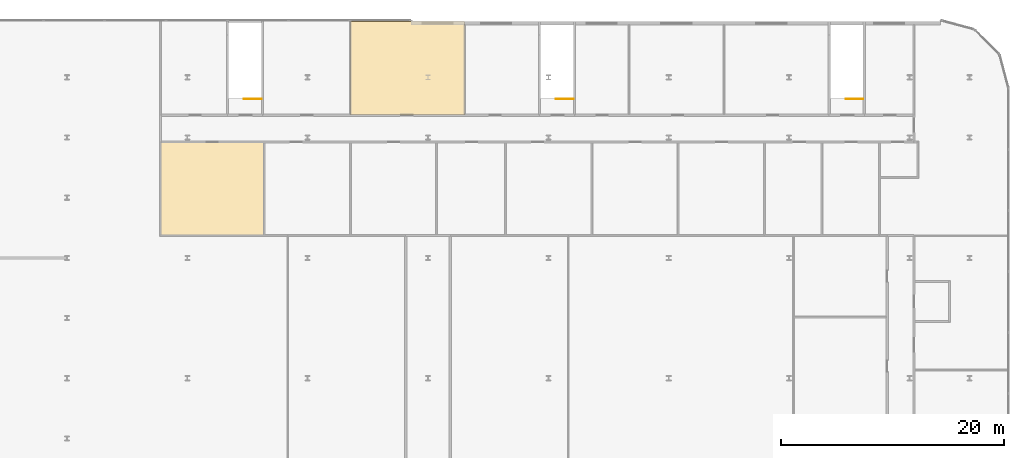
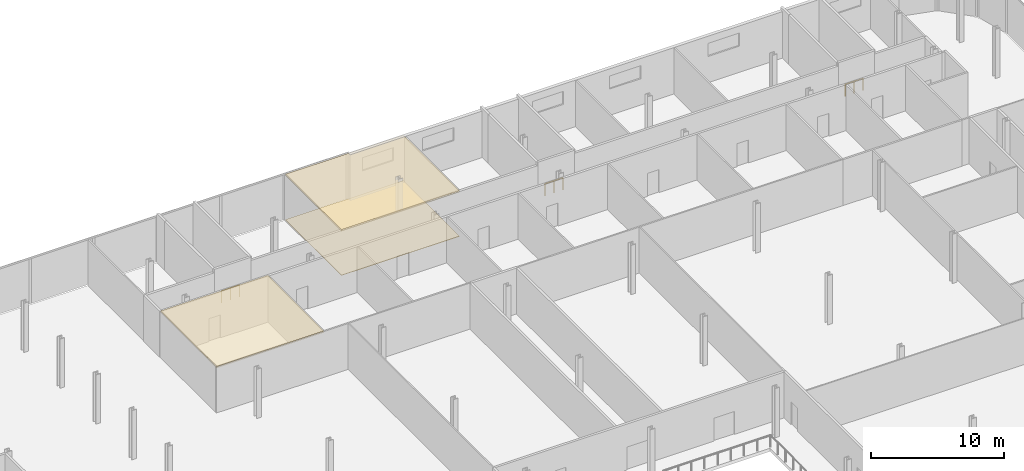
# One storey, part 43 of 43: 3 coverings, 3 railings.
"""IFC4 building model written with IfcOpenShell, lengths in metres."""

from ifc_helpers import new_model, si_unit, direction, frame, origin, origin_2d, place, context, subcontext, project, spatial, polyline, circle, outline, extrude, material, layer, layer_set, type_object, element, save


model = new_model("IFC4")

# Units and contexts
model_context = context("Model", 3, precision=1e-05, world=origin(), true_north=direction((0.0, 1.0)))
body_context = subcontext(model_context, "Body", "Model", "MODEL_VIEW")
ifc_project = project(units=[si_unit("LENGTHUNIT", "METRE"), si_unit("AREAUNIT", "SQUARE_METRE"), si_unit("VOLUMEUNIT", "CUBIC_METRE"), si_unit("PLANEANGLEUNIT", "RADIAN"), si_unit("MASSUNIT", "GRAM", prefix="KILO")], contexts=[model_context])

# Site, building, storey
site_placement = place(None, origin())
site = spatial("IfcSite", under=ifc_project, at=site_placement, CompositionType="ELEMENT")
building_placement = place(site_placement, origin())
building = spatial("IfcBuilding", under=site, at=building_placement, Name="Kheshtan School and Residences Tower", CompositionType="ELEMENT")
storey_placement = place(building_placement, frame((0.0, 0.0, 26.0)))
storey = spatial("IfcBuildingStorey", under=building, at=storey_placement, Name="L05", CompositionType="ELEMENT", Elevation=26.0)

# Coverings
ifc_material_1 = material(Name="Mineral fibre acoustic ceiling on metal grid")
ifc_layer_1 = layer(ifc_material_1, 0.14990234375)
ifc_layer_set_1 = layer_set([ifc_layer_1], Name="Acoustic ceiling 150 mineral fibre")
covering_type_1 = type_object("IfcCoveringType", Name="Acoustic ceiling 150 mineral fibre", PredefinedType="CEILING", material=ifc_layer_set_1)
covering_1_placement = place(storey_placement, frame((0.0, 0.0, 4.050048828125)))
element("IfcCovering", 1, at=covering_1_placement, inside=storey, type_object=covering_type_1, Name="Ceiling Assembly Hall L05", PredefinedType="CEILING", context=body_context, shape_type="SweptSolid", body=[
    extrude(outline(polyline([(65.2890625, 99.199951171875), (65.2890625, 90.800048828125), (56.0, 90.800048828125), (56.0, 99.199951171875), (65.2890625, 99.199951171875)])), origin(), (0.0, 0.0, 1.0), 0.14990234375),
])
covering_2_placement = place(storey_placement, frame((0.0, 0.0, 4.050048828125)))
element("IfcCovering", 2, at=covering_2_placement, inside=storey, type_object=covering_type_1, Name="Ceiling Gymnasium L05", PredefinedType="CEILING", context=body_context, shape_type="SweptSolid", body=[
    extrude(outline(polyline([(73.0419921875, 101.60009765625), (73.0419921875, 110.0), (83.26708984375, 110.0), (83.26708984375, 101.60009765625), (73.0419921875, 101.60009765625)])), origin(), (0.0, 0.0, 1.0), 0.14990234375),
])
ifc_material_2 = material(Name="Sprung timber sports floor", Category="wood")
ifc_layer_2 = layer(ifc_material_2, 0.0400390625)
ifc_layer_set_2 = layer_set([ifc_layer_2], Name="Sports floor 40")
covering_type_2 = type_object("IfcCoveringType", Name="Sports floor 40", PredefinedType="FLOORING", material=ifc_layer_set_2)
covering_3_placement = place(storey_placement, origin())
element("IfcCovering", 3, at=covering_3_placement, inside=storey, type_object=covering_type_2, Name="Floor finish Gymnasium L05", PredefinedType="FLOORING", context=body_context, shape_type="SweptSolid", body=[
    extrude(outline(polyline([(73.0419921875, 101.60009765625), (73.0419921875, 110.0), (83.26708984375, 110.0), (83.26708984375, 101.60009765625), (73.0419921875, 101.60009765625)])), origin(), (0.0, 0.0, 1.0), 0.0400390625),
])

# Railings
ifc_material_3 = material(Name="Stainless steel balustrade", Category="steel")
railing_type = type_object("IfcRailingType", Name="Stair guard 1100", PredefinedType="GUARDRAIL", material=ifc_material_3)
for number, where, name in (
    (4, (65.050048828125, 103.050048828125, 0.0), "L05 PS-062-102 top well guard 1"),
    (5, (93.050048828125, 103.050048828125, 0.0), "L05 PS-090-102 top well guard 1"),
    (6, (119.050048828125, 103.050048828125, 0.0), "L05 PS-116-102 top well guard 1"),
):
    element("IfcRailing", number, at=place(storey_placement, frame(where)), inside=storey, type_object=railing_type, Name=name, PredefinedType="GUARDRAIL", context=body_context, shape_type="SweptSolid", body=[
        extrude(circle(Radius=0.02392578125, at=origin_2d()), frame((0.0, 0.0, 1.076171875), z_axis=(-1.0, 0.0, 0.0), x_axis=(0.0, -1.0, 0.0)), (0.0, 0.0, 1.0), 1.550048828125),
        extrude(circle(Radius=0.02099609375, at=origin_2d()), origin(), (0.0, 0.0, 1.0), 1.052001953125),
        extrude(circle(Radius=0.02099609375, at=origin_2d()), frame((-0.77490234375, 0.0, 0.0)), (0.0, 0.0, 1.0), 1.052001953125),
        extrude(circle(Radius=0.02099609375, at=origin_2d()), frame((-1.550048828125, 0.0, 0.0)), (0.0, 0.0, 1.0), 1.052001953125),
    ])

save(model, "model.ifc")
